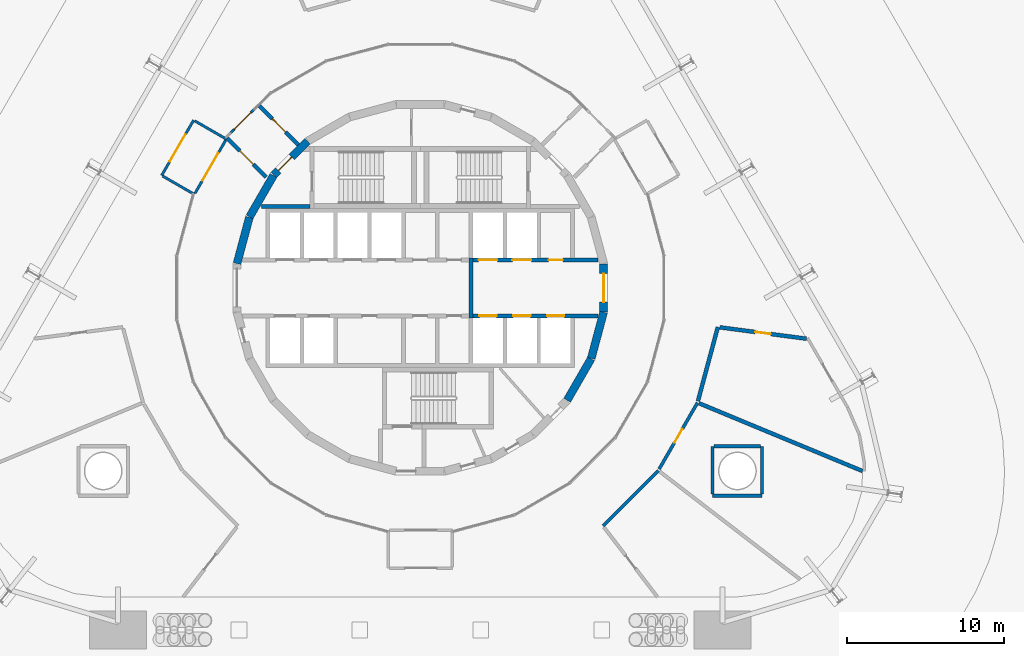
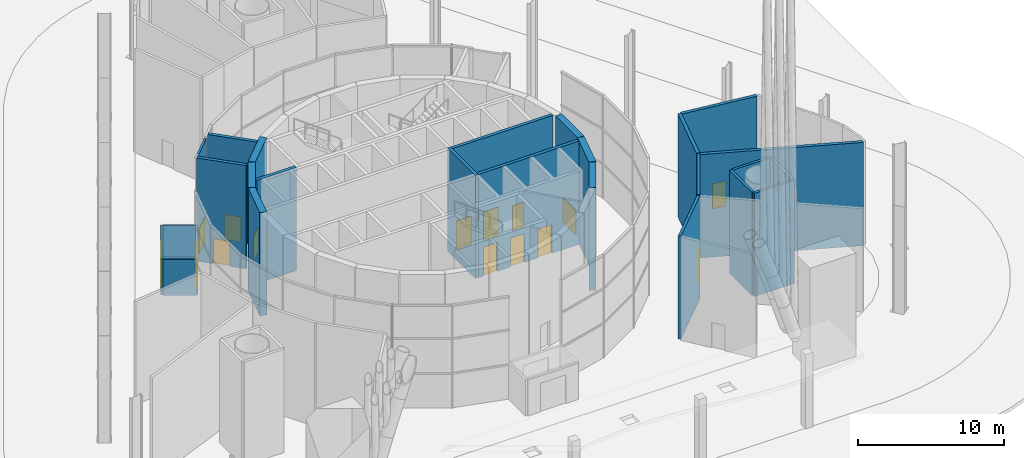
# One storey, part 16 of 21: 26 walls, 15 doors, 15 openings.
"""IFC4 building model written with IfcOpenShell, lengths in metres."""

from ifc_helpers import new_model, si_unit, direction, frame, frame_2d, origin, place, context, subcontext, project, spatial, rectangle, extrude, material, layer, layer_set, type_object, element, fill, save


model = new_model("IFC4")

# Units and contexts
model_context = context("Model", 3, precision=1e-05, world=origin(), true_north=direction((0.0, 1.0)))
body_context = subcontext(model_context, "Body", "Model", "MODEL_VIEW")
ifc_project = project(units=[si_unit("LENGTHUNIT", "METRE"), si_unit("AREAUNIT", "SQUARE_METRE"), si_unit("VOLUMEUNIT", "CUBIC_METRE"), si_unit("PLANEANGLEUNIT", "RADIAN"), si_unit("MASSUNIT", "GRAM", prefix="KILO")], contexts=[model_context])

# Site, building, storey
site_placement = place(None, origin())
site = spatial("IfcSite", under=ifc_project, at=site_placement, CompositionType="ELEMENT")
building_placement = place(site_placement, origin())
building = spatial("IfcBuilding", under=site, at=building_placement, Name="Spindle Arch Residences", CompositionType="ELEMENT")
storey_placement = place(building_placement, origin())
storey = spatial("IfcBuildingStorey", under=building, at=storey_placement, Name="L00", CompositionType="ELEMENT", Elevation=0.0)

# Walls
ifc_material_1 = material(Name="Concrete C50/60", Category="concrete")
ifc_layer_1 = layer(ifc_material_1, 0.5)
ifc_layer_set_1 = layer_set([ifc_layer_1], Name="Core outline wall 500")
wall_type_1 = type_object("IfcWallType", Name="Core outline wall 500", PredefinedType="SHEAR", material=ifc_layer_set_1)
for number, where, z_axis, x_axis, name in (
    (1, (9.32861328125, -7.13671875, 0.0), (0.0, 0.0, 1.0), (0.500087131594, 0.865975092491, 0.0), "Core outline wall 4"),
    (2, (10.858154296875, -4.479248046875, 0.0), (0.0, 0.0, 1.0), (0.258734743916, 0.965948410781, 0.0), "Core outline wall 5"),
):
    element("IfcWall", number, at=place(storey_placement, frame(where, z_axis=z_axis, x_axis=x_axis)), inside=storey, type_object=wall_type_1, Name=name, PredefinedType="SHEAR", context=body_context, shape_type="SweptSolid", body=[
        extrude(rectangle(XDim=3.03271484375, YDim=0.5, at=frame_2d((1.516357421875, 0.0))), origin(), (0.0, 0.0, 1.0), 8.6201171875),
    ])

# Wall, opening, door
wall_1_placement = place(storey_placement, frame((11.647216796875, -1.516357421875, 0.0), z_axis=(0.0, 0.0, 1.0), x_axis=(0.0, 1.0, 0.0)))
wall_1 = element("IfcWall", 3, at=wall_1_placement, inside=storey, type_object=wall_type_1, Name="Core outline wall 6", PredefinedType="SHEAR", context=body_context, shape_type="SweptSolid", body=[
    extrude(rectangle(XDim=3.03271484375, YDim=0.5, at=frame_2d((1.516357421875, 0.0))), origin(), (0.0, 0.0, 1.0), 8.6201171875),
])
opening_1_placement = place(wall_1_placement, frame((0.6162109375, 0.0, 0.0)))
opening_1 = element("IfcOpeningElement", 4, at=opening_1_placement, cuts=wall_1, Name="Opening L00-FE01", PredefinedType="OPENING", context=body_context, shape_type="SweptSolid", body=[
    extrude(rectangle(XDim=1.800048828125, YDim=2.10009765625, at=frame_2d((0.89990234375, 1.050048828125))), frame((0.0, 0.260009765625, 0.0), z_axis=(0.0, -1.0, 0.0), x_axis=(1.0, 0.0, 0.0)), (0.0, 0.0, 1.0), 0.52001953125),
])
ifc_material_2 = material(Name="Steel, fire-resisting door", Category="steel")
door_type_1 = type_object("IfcDoorType", Name="Fire-lift lobby door 1800x2100", OperationType="DOUBLE_DOOR_SINGLE_SWING", PredefinedType="DOOR", material=ifc_material_2)
door_1_placement = place(opening_1_placement, origin())
door_1 = element("IfcDoor", 5, at=door_1_placement, inside=storey, type_object=door_type_1, Name="Fire-lift lobby door L00-FE01", OperationType="DOUBLE_DOOR_SINGLE_SWING", OverallHeight=2.10009765625, OverallWidth=1.800048828125, PredefinedType="DOOR", context=body_context, shape_type="SweptSolid", body=[
    extrude(rectangle(XDim=1.800048828125, YDim=2.10009765625, at=frame_2d((0.89990234375, 1.050048828125))), frame((0.0, 0.02490234375, 0.0), z_axis=(0.0, -1.0, 0.0), x_axis=(1.0, 0.0, 0.0)), (0.0, 0.0, 1.0), 0.050048828125),
])
fill(opening_1, door_1)

wall_2_placement = place(storey_placement, frame((-7.163818359375, 9.30810546875, 0.0), z_axis=(0.0, 0.0, 1.0), x_axis=(-0.707106781187, -0.707106781187, 0.0)))
wall_2 = element("IfcWall", 6, at=wall_2_placement, inside=storey, type_object=wall_type_1, Name="Core outline wall 15", PredefinedType="SHEAR", context=body_context, shape_type="SweptSolid", body=[
    extrude(rectangle(XDim=3.032470703125, YDim=0.5, at=frame_2d((1.51611328125, 0.0))), origin(), (0.0, 0.0, 1.0), 8.6201171875),
])
opening_2_placement = place(wall_2_placement, frame((1.416259765625, 0.0, 0.0)))
opening_2 = element("IfcOpeningElement", 7, at=opening_2_placement, cuts=wall_2, Name="Opening L00-AD02", PredefinedType="OPENING", context=body_context, shape_type="SweptSolid", body=[
    extrude(rectangle(XDim=1.199951171875, YDim=2.10009765625, at=frame_2d((0.60009765625, 1.050048828125))), frame((0.0, 0.260009765625, 0.0), z_axis=(0.0, -1.0, 0.0), x_axis=(1.0, 0.0, 0.0)), (0.0, 0.0, 1.0), 0.52001953125),
])
ifc_material_3 = material(Name="Steel, fire-resisting door", Category="steel")
door_type_2 = type_object("IfcDoorType", Name="Stair airlock door 1200x2100", OperationType="SINGLE_SWING_LEFT", PredefinedType="DOOR", material=ifc_material_3)
door_2_placement = place(opening_2_placement, origin())
door_2 = element("IfcDoor", 8, at=door_2_placement, inside=storey, type_object=door_type_2, Name="Stair airlock door L00-AD02", OperationType="SINGLE_SWING_RIGHT", OverallHeight=2.10009765625, OverallWidth=1.199951171875, PredefinedType="DOOR", context=body_context, shape_type="SweptSolid", body=[
    extrude(rectangle(XDim=1.199951171875, YDim=2.10009765625, at=frame_2d((0.60009765625, 1.050048828125))), frame((0.0, 0.02490234375, 0.0), z_axis=(0.0, -1.0, 0.0), x_axis=(1.0, 0.0, 0.0)), (0.0, 0.0, 1.0), 0.050048828125),
])
fill(opening_2, door_2)

# Walls
for number, where, z_axis, x_axis, name in (
    (9, (-9.32861328125, 7.13671875, 0.0), (0.0, 0.0, 1.0), (-0.500087131594, -0.865975092491, 0.0), "Core outline wall 16"),
    (10, (-10.858154296875, 4.479248046875, 0.0), (0.0, 0.0, 1.0), (-0.258734743916, -0.965948410781, 0.0), "Core outline wall 17"),
):
    element("IfcWall", number, at=place(storey_placement, frame(where, z_axis=z_axis, x_axis=x_axis)), inside=storey, type_object=wall_type_1, Name=name, PredefinedType="SHEAR", context=body_context, shape_type="SweptSolid", body=[
        extrude(rectangle(XDim=3.03271484375, YDim=0.5, at=frame_2d((1.516357421875, 0.0))), origin(), (0.0, 0.0, 1.0), 8.6201171875),
    ])

# Wall, opening, door
ifc_material_4 = material(Name="Non-combustible mineral wool insulated aluminium faced external wall (K0)", Category="aluminium")
ifc_layer_2 = layer(ifc_material_4, 0.159912109375)
ifc_layer_set_2 = layer_set([ifc_layer_2], Name="Exit door wall 160")
wall_type_2 = type_object("IfcWallType", Name="Exit door wall 160", PredefinedType="STANDARD", material=ifc_layer_set_2)
wall_3_placement = place(storey_placement, frame((-12.0322265625, 9.85498046875, 0.0), z_axis=(0.0, 0.0, 1.0), x_axis=(0.70704865247, 0.707164905125, 0.0)))
wall_3 = element("IfcWall", 11, at=wall_3_placement, inside=storey, type_object=wall_type_2, Name="Stair exit wall NW", PredefinedType="STANDARD", context=body_context, shape_type="SweptSolid", body=[
    extrude(rectangle(XDim=2.10009765625, YDim=0.159912109375, at=frame_2d((1.050048828125, 0.0))), origin(), (0.0, 0.0, 1.0), 8.5),
])
opening_3_placement = place(wall_3_placement, frame((0.300048828125, 0.0, 0.0)))
opening_3 = element("IfcOpeningElement", 12, at=opening_3_placement, cuts=wall_3, Name="Opening STAIR-EXIT-NW", PredefinedType="OPENING", context=body_context, shape_type="SweptSolid", body=[
    extrude(rectangle(XDim=1.5, YDim=2.10009765625, at=frame_2d((0.75, 1.050048828125))), frame((0.0, 0.08984375, 0.0), z_axis=(0.0, -1.0, 0.0), x_axis=(1.0, 0.0, 0.0)), (0.0, 0.0, 1.0), 0.179931640625),
])
ifc_material_5 = material(Name="Fire-resisting bronze aluminium frame and glazed leaves", Category="aluminium")
door_type_3 = type_object("IfcDoorType", Name="Stair exit door EI 60 1500x2100", OperationType="DOUBLE_DOOR_SINGLE_SWING", PredefinedType="DOOR", material=ifc_material_5)
door_3_placement = place(opening_3_placement, origin())
door_3 = element("IfcDoor", 13, at=door_3_placement, inside=storey, type_object=door_type_3, Name="Stair exit door NW", OperationType="DOUBLE_DOOR_SINGLE_SWING", OverallHeight=2.10009765625, OverallWidth=1.5, PredefinedType="DOOR", context=body_context, shape_type="SweptSolid", body=[
    extrude(rectangle(XDim=1.5, YDim=2.10009765625, at=frame_2d((0.75, 1.050048828125))), frame((0.0, 0.02490234375, 0.0), z_axis=(0.0, -1.0, 0.0), x_axis=(1.0, 0.0, 0.0)), (0.0, 0.0, 1.0), 0.050048828125),
])
fill(opening_3, door_3)

# Wall, openings, doors
ifc_material_6 = material(Name="Concrete C40/50", Category="concrete")
ifc_layer_3 = layer(ifc_material_6, 0.25)
ifc_layer_set_3 = layer_set([ifc_layer_3], Name="Fire-lift lobby wall 250")
wall_type_3 = type_object("IfcWallType", Name="Fire-lift lobby wall 250", PredefinedType="SHEAR", material=ifc_layer_set_3)
wall_4_placement = place(storey_placement, frame((3.35009765625, 1.77490234375, 0.0), z_axis=(0.0, 0.0, 1.0), x_axis=(1.0, 0.0, 0.0)))
wall_4 = element("IfcWall", 14, at=wall_4_placement, inside=storey, type_object=wall_type_3, Name="Lift shaft front wall NE", PredefinedType="SHEAR", context=body_context, shape_type="SweptSolid", body=[
    extrude(rectangle(XDim=7.929931640625, YDim=0.25, at=frame_2d((3.96484375, 0.0))), origin(), (0.0, 0.0, 1.0), 8.6201171875),
])
opening_4_placement = place(wall_4_placement, frame((0.35009765625, 0.0, 0.0)))
opening_4 = element("IfcOpeningElement", 15, at=opening_4_placement, cuts=wall_4, Name="Opening L00-SLD01", PredefinedType="OPENING", context=body_context, shape_type="SweptSolid", body=[
    extrude(rectangle(XDim=1.199951171875, YDim=2.39990234375, at=frame_2d((0.60009765625, 1.199951171875))), frame((0.0, 0.135009765625, 0.0), z_axis=(0.0, -1.0, 0.0), x_axis=(1.0, 0.0, 0.0)), (0.0, 0.0, 1.0), 0.27001953125),
])
opening_5_placement = place(wall_4_placement, frame((2.5, 0.0, 0.0)))
opening_5 = element("IfcOpeningElement", 16, at=opening_5_placement, cuts=wall_4, Name="Opening L00-SLD02", PredefinedType="OPENING", context=body_context, shape_type="SweptSolid", body=[
    extrude(rectangle(XDim=1.199951171875, YDim=2.39990234375, at=frame_2d((0.60009765625, 1.199951171875))), frame((0.0, 0.135009765625, 0.0), z_axis=(0.0, -1.0, 0.0), x_axis=(1.0, 0.0, 0.0)), (0.0, 0.0, 1.0), 0.27001953125),
])
opening_6_placement = place(wall_4_placement, frame((4.800048828125, 0.0, 0.0)))
opening_6 = element("IfcOpeningElement", 17, at=opening_6_placement, cuts=wall_4, Name="Opening L00-WD03", PredefinedType="OPENING", context=body_context, shape_type="SweptSolid", body=[
    extrude(rectangle(XDim=0.89990234375, YDim=2.10009765625, at=frame_2d((0.449951171875, 1.050048828125))), frame((0.0, 0.135009765625, 0.0), z_axis=(0.0, -1.0, 0.0), x_axis=(1.0, 0.0, 0.0)), (0.0, 0.0, 1.0), 0.27001953125),
])
ifc_material_7 = material(Name="Steel, fire-resisting landing door", Category="steel")
door_type_4 = type_object("IfcDoorType", Name="Service lift landing door 1200x2400", OperationType="DOUBLE_DOOR_SLIDING", PredefinedType="DOOR", material=ifc_material_7)
door_4_placement = place(opening_4_placement, origin())
door_4 = element("IfcDoor", 18, at=door_4_placement, inside=storey, type_object=door_type_4, Name="Service lift landing door L00-SLD01", OperationType="DOUBLE_DOOR_SLIDING", OverallHeight=2.39990234375, OverallWidth=1.199951171875, PredefinedType="DOOR", context=body_context, shape_type="SweptSolid", body=[
    extrude(rectangle(XDim=1.199951171875, YDim=2.39990234375, at=frame_2d((0.60009765625, 1.199951171875))), frame((0.0, 0.02490234375, 0.0), z_axis=(0.0, -1.0, 0.0), x_axis=(1.0, 0.0, 0.0)), (0.0, 0.0, 1.0), 0.050048828125),
])
fill(opening_4, door_4)
door_5_placement = place(opening_5_placement, origin())
door_5 = element("IfcDoor", 19, at=door_5_placement, inside=storey, type_object=door_type_4, Name="Service lift landing door L00-SLD02", OperationType="DOUBLE_DOOR_SLIDING", OverallHeight=2.39990234375, OverallWidth=1.199951171875, PredefinedType="DOOR", context=body_context, shape_type="SweptSolid", body=[
    extrude(rectangle(XDim=1.199951171875, YDim=2.39990234375, at=frame_2d((0.60009765625, 1.199951171875))), frame((0.0, 0.02490234375, 0.0), z_axis=(0.0, -1.0, 0.0), x_axis=(1.0, 0.0, 0.0)), (0.0, 0.0, 1.0), 0.050048828125),
])
fill(opening_5, door_5)
ifc_material_8 = material(Name="Steel, fire-resisting door", Category="steel")
door_type_5 = type_object("IfcDoorType", Name="Service room door 900x2100", OperationType="SINGLE_SWING_LEFT", PredefinedType="DOOR", material=ifc_material_8)
door_6_placement = place(opening_6_placement, origin())
door_6 = element("IfcDoor", 20, at=door_6_placement, inside=storey, type_object=door_type_5, Name="Service room door L00-WD03", OperationType="SINGLE_SWING_RIGHT", OverallHeight=2.10009765625, OverallWidth=0.89990234375, PredefinedType="DOOR", context=body_context, shape_type="SweptSolid", body=[
    extrude(rectangle(XDim=0.89990234375, YDim=2.10009765625, at=frame_2d((0.449951171875, 1.050048828125))), frame((0.0, 0.02490234375, 0.0), z_axis=(0.0, -1.0, 0.0), x_axis=(1.0, 0.0, 0.0)), (0.0, 0.0, 1.0), 0.050048828125),
])
fill(opening_6, door_6)

# Wall
wall_5_placement = place(storey_placement, frame((3.22509765625, -1.89990234375, 0.0), z_axis=(0.0, 0.0, 1.0), x_axis=(0.0, 1.0, 0.0)))
element("IfcWall", 21, at=wall_5_placement, inside=storey, type_object=wall_type_3, Name="Fire-fighting lobby partition", PredefinedType="SHEAR", context=body_context, shape_type="SweptSolid", body=[
    extrude(rectangle(XDim=3.7998046875, YDim=0.25, at=frame_2d((1.89990234375, 0.0))), origin(), (0.0, 0.0, 1.0), 8.6201171875),
])

# Wall, openings, doors
ifc_material_9 = material(Name="Concrete C50/60", Category="concrete")
ifc_layer_4 = layer(ifc_material_9, 0.25)
ifc_layer_set_4 = layer_set([ifc_layer_4], Name="Fire-lift shaft wall 250")
wall_type_4 = type_object("IfcWallType", Name="Fire-lift shaft wall 250", PredefinedType="SHEAR", material=ifc_layer_set_4)
wall_6_placement = place(storey_placement, frame((3.35009765625, -1.77490234375, 0.0), z_axis=(0.0, 0.0, 1.0), x_axis=(1.0, 0.0, 0.0)))
wall_6 = element("IfcWall", 22, at=wall_6_placement, inside=storey, type_object=wall_type_4, Name="Lift shaft front wall SE", PredefinedType="SHEAR", context=body_context, shape_type="SweptSolid", body=[
    extrude(rectangle(XDim=7.929931640625, YDim=0.25, at=frame_2d((3.96484375, 0.0))), origin(), (0.0, 0.0, 1.0), 8.6201171875),
])
opening_7_placement = place(wall_6_placement, frame((0.39990234375, 0.0, 0.0)))
opening_7 = element("IfcOpeningElement", 23, at=opening_7_placement, cuts=wall_6, Name="Opening L00-FLD01", PredefinedType="OPENING", context=body_context, shape_type="SweptSolid", body=[
    extrude(rectangle(XDim=1.10009765625, YDim=2.39990234375, at=frame_2d((0.550048828125, 1.199951171875))), frame((0.0, 0.135009765625, 0.0), z_axis=(0.0, -1.0, 0.0), x_axis=(1.0, 0.0, 0.0)), (0.0, 0.0, 1.0), 0.27001953125),
])
opening_8_placement = place(wall_6_placement, frame((2.550048828125, 0.0, 0.0)))
opening_8 = element("IfcOpeningElement", 24, at=opening_8_placement, cuts=wall_6, Name="Opening L00-FLD02", PredefinedType="OPENING", context=body_context, shape_type="SweptSolid", body=[
    extrude(rectangle(XDim=1.10009765625, YDim=2.39990234375, at=frame_2d((0.550048828125, 1.199951171875))), frame((0.0, 0.135009765625, 0.0), z_axis=(0.0, -1.0, 0.0), x_axis=(1.0, 0.0, 0.0)), (0.0, 0.0, 1.0), 0.27001953125),
])
opening_9_placement = place(wall_6_placement, frame((4.699951171875, 0.0, 0.0)))
opening_9 = element("IfcOpeningElement", 25, at=opening_9_placement, cuts=wall_6, Name="Opening L00-FLD03", PredefinedType="OPENING", context=body_context, shape_type="SweptSolid", body=[
    extrude(rectangle(XDim=1.10009765625, YDim=2.39990234375, at=frame_2d((0.550048828125, 1.199951171875))), frame((0.0, 0.135009765625, 0.0), z_axis=(0.0, -1.0, 0.0), x_axis=(1.0, 0.0, 0.0)), (0.0, 0.0, 1.0), 0.27001953125),
])
ifc_material_10 = material(Name="Steel, fire-resisting landing door", Category="steel")
door_type_6 = type_object("IfcDoorType", Name="Fire-fighting lift landing door 1100x2400", OperationType="DOUBLE_DOOR_SLIDING", PredefinedType="DOOR", material=ifc_material_10)
door_7_placement = place(opening_7_placement, origin())
door_7 = element("IfcDoor", 26, at=door_7_placement, inside=storey, type_object=door_type_6, Name="Fire-fighting lift landing door L00-FLD01", OperationType="DOUBLE_DOOR_SLIDING", OverallHeight=2.39990234375, OverallWidth=1.10009765625, PredefinedType="DOOR", context=body_context, shape_type="SweptSolid", body=[
    extrude(rectangle(XDim=1.10009765625, YDim=2.39990234375, at=frame_2d((0.550048828125, 1.199951171875))), frame((0.0, 0.02490234375, 0.0), z_axis=(0.0, -1.0, 0.0), x_axis=(1.0, 0.0, 0.0)), (0.0, 0.0, 1.0), 0.050048828125),
])
fill(opening_7, door_7)
door_8_placement = place(opening_8_placement, origin())
door_8 = element("IfcDoor", 27, at=door_8_placement, inside=storey, type_object=door_type_6, Name="Fire-fighting lift landing door L00-FLD02", OperationType="DOUBLE_DOOR_SLIDING", OverallHeight=2.39990234375, OverallWidth=1.10009765625, PredefinedType="DOOR", context=body_context, shape_type="SweptSolid", body=[
    extrude(rectangle(XDim=1.10009765625, YDim=2.39990234375, at=frame_2d((0.550048828125, 1.199951171875))), frame((0.0, 0.02490234375, 0.0), z_axis=(0.0, -1.0, 0.0), x_axis=(1.0, 0.0, 0.0)), (0.0, 0.0, 1.0), 0.050048828125),
])
fill(opening_8, door_8)
door_9_placement = place(opening_9_placement, origin())
door_9 = element("IfcDoor", 28, at=door_9_placement, inside=storey, type_object=door_type_6, Name="Fire-fighting lift landing door L00-FLD03", OperationType="DOUBLE_DOOR_SLIDING", OverallHeight=2.39990234375, OverallWidth=1.10009765625, PredefinedType="DOOR", context=body_context, shape_type="SweptSolid", body=[
    extrude(rectangle(XDim=1.10009765625, YDim=2.39990234375, at=frame_2d((0.550048828125, 1.199951171875))), frame((0.0, 0.02490234375, 0.0), z_axis=(0.0, -1.0, 0.0), x_axis=(1.0, 0.0, 0.0)), (0.0, 0.0, 1.0), 0.050048828125),
])
fill(opening_9, door_9)

# Wall, opening, door
ifc_material_11 = material(Name="Concrete C40/50 wall with non-combustible insulated cladding (K0)", Category="concrete")
ifc_layer_5 = layer(ifc_material_11, 0.159912109375)
ifc_layer_set_5 = layer_set([ifc_layer_5], Name="Partition E 60 160 external")
wall_type_5 = type_object("IfcWallType", Name="Partition E 60 160 external", PredefinedType="PARTITIONING", material=ifc_layer_set_5)
wall_7_placement = place(storey_placement, frame((-16.429931640625, 7.139892578125, 0.0), z_axis=(0.0, 0.0, 1.0), x_axis=(0.500651722248, 0.865648804661, 0.0)))
wall_7 = element("IfcWall", 29, at=wall_7_placement, inside=storey, type_object=wall_type_5, Name="L00-W009", PredefinedType="PARTITIONING", context=body_context, shape_type="SweptSolid", body=[
    extrude(rectangle(XDim=4.0546875, YDim=0.159912109375, at=frame_2d((2.02734375, 0.0))), origin(), (0.0, 0.0, 1.0), 3.0),
])
opening_10_placement = place(wall_7_placement, frame((1.02734375, 0.0, 0.0)))
opening_10 = element("IfcOpeningElement", 30, at=opening_10_placement, cuts=wall_7, Name="Opening L00-D09", PredefinedType="OPENING", context=body_context, shape_type="SweptSolid", body=[
    extrude(rectangle(XDim=2.0, YDim=2.39990234375, at=frame_2d((1.0, 1.199951171875))), frame((0.0, 0.08984375, 0.0), z_axis=(0.0, -1.0, 0.0), x_axis=(1.0, 0.0, 0.0)), (0.0, 0.0, 1.0), 0.179931640625),
])
ifc_material_12 = material(Name="Bronze aluminium frame, toughened tinted glass", Category="aluminium")
door_type_7 = type_object("IfcDoorType", Name="Lobby entrance double door EI 60 2000x2400", OperationType="DOUBLE_DOOR_SINGLE_SWING", PredefinedType="DOOR", material=ifc_material_12)
door_10_placement = place(opening_10_placement, origin())
door_10 = element("IfcDoor", 31, at=door_10_placement, inside=storey, type_object=door_type_7, Name="L00-D09", OperationType="DOUBLE_DOOR_SINGLE_SWING", OverallHeight=2.39990234375, OverallWidth=2.0, PredefinedType="DOOR", context=body_context, shape_type="SweptSolid", body=[
    extrude(rectangle(XDim=2.0, YDim=2.39990234375, at=frame_2d((1.0, 1.199951171875))), frame((0.0, 0.02490234375, 0.0), z_axis=(0.0, -1.0, 0.0), x_axis=(1.0, 0.0, 0.0)), (0.0, 0.0, 1.0), 0.050048828125),
])
fill(opening_10, door_10)

# Walls
wall_8_placement = place(storey_placement, frame((-14.330810546875, 10.610107421875, 0.0), z_axis=(0.0, 0.0, 1.0), x_axis=(0.866164575005, -0.499758870863, 0.0)))
element("IfcWall", 32, at=wall_8_placement, inside=storey, type_object=wall_type_5, Name="L00-W011", PredefinedType="PARTITIONING", context=body_context, shape_type="SweptSolid", body=[
    extrude(rectangle(XDim=2.321533203125, YDim=0.159912109375, at=frame_2d((1.16064453125, 0.0))), origin(), (0.0, 0.0, 1.0), 3.0),
])
wall_9_placement = place(storey_placement, frame((-14.35009765625, 5.93994140625, 0.0), z_axis=(0.0, 0.0, 1.0), x_axis=(-0.866138304741, 0.499804398801, 0.0)))
element("IfcWall", 33, at=wall_9_placement, inside=storey, type_object=wall_type_5, Name="L00-W012", PredefinedType="PARTITIONING", context=body_context, shape_type="SweptSolid", body=[
    extrude(rectangle(XDim=2.3212890625, YDim=0.159912109375, at=frame_2d((1.16064453125, 0.0))), origin(), (0.0, 0.0, 1.0), 3.0),
])

# Wall, opening, door
wall_10_placement = place(storey_placement, frame((-12.360107421875, 9.380859375, 0.0), z_axis=(0.0, 0.0, 1.0), x_axis=(-0.500648288507, -0.86565079057, 0.0)))
wall_10 = element("IfcWall", 34, at=wall_10_placement, inside=storey, type_object=wall_type_5, Name="L00-W013", PredefinedType="PARTITIONING", context=body_context, shape_type="SweptSolid", body=[
    extrude(rectangle(XDim=3.894775390625, YDim=0.159912109375, at=frame_2d((1.947265625, 0.0))), origin(), (0.0, 0.0, 1.0), 3.0),
])
opening_11_placement = place(wall_10_placement, frame((0.947509765625, 0.0, 0.0)))
opening_11 = element("IfcOpeningElement", 35, at=opening_11_placement, cuts=wall_10, Name="Opening L00-D08", PredefinedType="OPENING", context=body_context, shape_type="SweptSolid", body=[
    extrude(rectangle(XDim=2.0, YDim=2.39990234375, at=frame_2d((1.0, 1.199951171875))), frame((0.0, 0.08984375, 0.0), z_axis=(0.0, -1.0, 0.0), x_axis=(1.0, 0.0, 0.0)), (0.0, 0.0, 1.0), 0.179931640625),
])
door_11_placement = place(opening_11_placement, origin())
door_11 = element("IfcDoor", 36, at=door_11_placement, inside=storey, type_object=door_type_7, Name="L00-D08", OperationType="DOUBLE_DOOR_SINGLE_SWING", OverallHeight=2.39990234375, OverallWidth=2.0, PredefinedType="DOOR", context=body_context, shape_type="SweptSolid", body=[
    extrude(rectangle(XDim=2.0, YDim=2.39990234375, at=frame_2d((1.0, 1.199951171875))), frame((0.0, 0.02490234375, 0.0), z_axis=(0.0, -1.0, 0.0), x_axis=(1.0, 0.0, 0.0)), (0.0, 0.0, 1.0), 0.050048828125),
])
fill(opening_11, door_11)

# Walls
ifc_material_13 = material(Name="Concrete C25/30 wall", Category="concrete")
ifc_layer_6 = layer(ifc_material_13, 0.25)
ifc_layer_set_6 = layer_set([ifc_layer_6], Name="Partition EI 120 250 store")
wall_type_6 = type_object("IfcWallType", Name="Partition EI 120 250 store", PredefinedType="PARTITIONING", material=ifc_layer_set_6)
wall_11_placement = place(storey_placement, frame((17.635986328125, -7.193359375, 0.0), z_axis=(0.0, 0.0, 1.0), x_axis=(0.259518617631, 0.965738104821, 0.0)))
element("IfcWall", 37, at=wall_11_placement, inside=storey, type_object=wall_type_6, Name="L00-W054", PredefinedType="PARTITIONING", context=body_context, shape_type="SweptSolid", body=[
    extrude(rectangle(XDim=4.8701171875, YDim=0.25, at=frame_2d((2.43505859375, 0.0))), origin(), (0.0, 0.0, 1.0), 8.6201171875),
])
wall_12_placement = place(storey_placement, frame((17.702392578125, -7.328369140625, 0.0), z_axis=(0.0, 0.0, 1.0), x_axis=(0.923733316427, -0.383036238655, 0.0)))
element("IfcWall", 38, at=wall_12_placement, inside=storey, type_object=wall_type_6, Name="L00-W055", PredefinedType="PARTITIONING", context=body_context, shape_type="SweptSolid", body=[
    extrude(rectangle(XDim=11.256103515625, YDim=0.25, at=frame_2d((5.6279296875, 0.0))), origin(), (0.0, 0.0, 1.0), 8.6201171875),
])

# Wall, opening, door
wall_13_placement = place(storey_placement, frame((19.02392578125, -2.50634765625, 0.0), z_axis=(0.0, 0.0, 1.0), x_axis=(0.991474185099, -0.130303262743, 0.0)))
wall_13 = element("IfcWall", 39, at=wall_13_placement, inside=storey, type_object=wall_type_6, Name="L00-W058", PredefinedType="PARTITIONING", context=body_context, shape_type="SweptSolid", body=[
    extrude(rectangle(XDim=5.553466796875, YDim=0.25, at=frame_2d((2.77685546875, 0.0))), origin(), (0.0, 0.0, 1.0), 8.6201171875),
])
opening_12_placement = place(wall_13_placement, frame((2.276611328125, 0.0, 0.0)))
opening_12 = element("IfcOpeningElement", 40, at=opening_12_placement, cuts=wall_13, Name="Opening L00-D06", PredefinedType="OPENING", context=body_context, shape_type="SweptSolid", body=[
    extrude(rectangle(XDim=1.0, YDim=2.10009765625, at=frame_2d((0.5, 1.050048828125))), frame((0.0, 0.135009765625, 0.0), z_axis=(0.0, -1.0, 0.0), x_axis=(1.0, 0.0, 0.0)), (0.0, 0.0, 1.0), 0.27001953125),
])
ifc_material_14 = material(Name="Steel door leaf, painted", Category="steel")
door_type_8 = type_object("IfcDoorType", Name="Door 1000x2100 EI 60", OperationType="SINGLE_SWING_LEFT", PredefinedType="DOOR", material=ifc_material_14)
door_12_placement = place(opening_12_placement, origin())
door_12 = element("IfcDoor", 41, at=door_12_placement, inside=storey, type_object=door_type_8, Name="L00-D06", OperationType="SINGLE_SWING_LEFT", OverallHeight=2.10009765625, OverallWidth=1.0, PredefinedType="DOOR", context=body_context, shape_type="SweptSolid", body=[
    extrude(rectangle(XDim=1.0, YDim=2.10009765625, at=frame_2d((0.5, 1.050048828125))), frame((0.0, 0.02490234375, 0.0), z_axis=(0.0, -1.0, 0.0), x_axis=(1.0, 0.0, 0.0)), (0.0, 0.0, 1.0), 0.050048828125),
])
fill(opening_12, door_12)

# Wall
ifc_material_15 = material(Name="Gypsum board partition on steel studs", Category="steel")
ifc_layer_7 = layer(ifc_material_15, 0.199951171875)
ifc_layer_set_7 = layer_set([ifc_layer_7], Name="Partition EI 60 200 amenity")
wall_type_7 = type_object("IfcWallType", Name="Partition EI 60 200 amenity", PredefinedType="PARTITIONING", material=ifc_layer_set_7)
wall_14_placement = place(storey_placement, frame((11.60009765625, -15.1201171875, 0.0), z_axis=(0.0, 0.0, 1.0), x_axis=(0.707106781187, 0.707106781187, 0.0)))
element("IfcWall", 42, at=wall_14_placement, inside=storey, type_object=wall_type_7, Name="L00-W045", PredefinedType="PARTITIONING", context=body_context, shape_type="SweptSolid", body=[
    extrude(rectangle(XDim=4.97802734375, YDim=0.199951171875, at=frame_2d((2.489013671875, 0.0))), origin(), (0.0, 0.0, 1.0), 8.6201171875),
])

# Wall, opening, door
wall_15_placement = place(storey_placement, frame((15.169921875, -11.513427734375, 0.0), z_axis=(0.0, 0.0, 1.0), x_axis=(0.50027843178, 0.865864591432, 0.0)))
wall_15 = element("IfcWall", 43, at=wall_15_placement, inside=storey, type_object=wall_type_7, Name="L00-W051", PredefinedType="PARTITIONING", context=body_context, shape_type="SweptSolid", body=[
    extrude(rectangle(XDim=4.877685546875, YDim=0.199951171875, at=frame_2d((2.43896484375, 0.0))), origin(), (0.0, 0.0, 1.0), 8.6201171875),
])
opening_13_placement = place(wall_15_placement, frame((1.938720703125, 0.0, 0.0)))
opening_13 = element("IfcOpeningElement", 44, at=opening_13_placement, cuts=wall_15, Name="Opening L00-D05", PredefinedType="OPENING", context=body_context, shape_type="SweptSolid", body=[
    extrude(rectangle(XDim=1.0, YDim=2.10009765625, at=frame_2d((0.5, 1.050048828125))), frame((0.0, 0.10986328125, 0.0), z_axis=(0.0, -1.0, 0.0), x_axis=(1.0, 0.0, 0.0)), (0.0, 0.0, 1.0), 0.219970703125),
])
ifc_material_16 = material(Name="Timber door leaf", Category="wood")
door_type_9 = type_object("IfcDoorType", Name="Door 1000x2100 EI 30", OperationType="SINGLE_SWING_LEFT", PredefinedType="DOOR", material=ifc_material_16)
door_13_placement = place(opening_13_placement, origin())
door_13 = element("IfcDoor", 45, at=door_13_placement, inside=storey, type_object=door_type_9, Name="L00-D05", OperationType="SINGLE_SWING_LEFT", OverallHeight=2.10009765625, OverallWidth=1.0, PredefinedType="DOOR", context=body_context, shape_type="SweptSolid", body=[
    extrude(rectangle(XDim=1.0, YDim=2.10009765625, at=frame_2d((0.5, 1.050048828125))), frame((0.0, 0.02490234375, 0.0), z_axis=(0.0, -1.0, 0.0), x_axis=(1.0, 0.0, 0.0)), (0.0, 0.0, 1.0), 0.050048828125),
])
fill(opening_13, door_13)

# Walls
wall_16_placement = place(storey_placement, frame((18.570068359375, -13.199951171875, 0.0), z_axis=(0.0, 0.0, 1.0), x_axis=(1.0, 0.0, 0.0)))
element("IfcWall", 46, at=wall_16_placement, inside=storey, type_object=wall_type_7, Name="L00-W056", PredefinedType="PARTITIONING", context=body_context, shape_type="SweptSolid", body=[
    extrude(rectangle(XDim=3.139892578125, YDim=0.199951171875, at=frame_2d((1.56982421875, 0.0))), origin(), (0.0, 0.0, 1.0), 8.6201171875),
])
for number, where, z_axis, x_axis, name in (
    (47, (18.570068359375, -10.06005859375, 0.0), (0.0, 0.0, 1.0), (0.0, -1.0, 0.0), "L00-W057"),
    (48, (21.7099609375, -13.10009765625, 0.0), (0.0, 0.0, 1.0), (0.0, 1.0, 0.0), "L00-W059"),
):
    element("IfcWall", number, at=place(storey_placement, frame(where, z_axis=z_axis, x_axis=x_axis)), inside=storey, type_object=wall_type_7, Name=name, PredefinedType="PARTITIONING", context=body_context, shape_type="SweptSolid", body=[
        extrude(rectangle(XDim=3.0400390625, YDim=0.199951171875, at=frame_2d((1.52001953125, 0.0))), origin(), (0.0, 0.0, 1.0), 8.6201171875),
    ])
wall_17_placement = place(storey_placement, frame((21.610107421875, -10.06005859375, 0.0), z_axis=(0.0, 0.0, 1.0), x_axis=(-1.0, 0.0, 0.0)))
element("IfcWall", 49, at=wall_17_placement, inside=storey, type_object=wall_type_7, Name="L00-W060", PredefinedType="PARTITIONING", context=body_context, shape_type="SweptSolid", body=[
    extrude(rectangle(XDim=2.940185546875, YDim=0.199951171875, at=frame_2d((1.47021484375, 0.0))), origin(), (0.0, 0.0, 1.0), 8.6201171875),
])

# Wall, opening, door
ifc_material_17 = material(Name="Concrete C25/30 wall", Category="concrete")
ifc_layer_8 = layer(ifc_material_17, 0.25)
ifc_layer_set_8 = layer_set([ifc_layer_8], Name="Partition REI 240 250 stair")
wall_type_8 = type_object("IfcWallType", Name="Partition REI 240 250 stair", PredefinedType="PARTITIONING", material=ifc_layer_set_8)
wall_18_placement = place(storey_placement, frame((-10.219970703125, 11.56005859375, 0.0), z_axis=(0.0, 0.0, 1.0), x_axis=(0.707106781187, -0.707106781187, 0.0)))
wall_18 = element("IfcWall", 50, at=wall_18_placement, inside=storey, type_object=wall_type_8, Name="L00-W015", PredefinedType="PARTITIONING", context=body_context, shape_type="SweptSolid", body=[
    extrude(rectangle(XDim=3.50732421875, YDim=0.25, at=frame_2d((1.753662109375, 0.0))), origin(), (0.0, 0.0, 1.0), 8.6201171875),
])
opening_14_placement = place(wall_18_placement, frame((1.153564453125, 0.0, 0.0)))
opening_14 = element("IfcOpeningElement", 51, at=opening_14_placement, cuts=wall_18, Name="Opening L00-D18", PredefinedType="OPENING", context=body_context, shape_type="SweptSolid", body=[
    extrude(rectangle(XDim=1.199951171875, YDim=2.10009765625, at=frame_2d((0.60009765625, 1.050048828125))), frame((0.0, 0.135009765625, 0.0), z_axis=(0.0, -1.0, 0.0), x_axis=(1.0, 0.0, 0.0)), (0.0, 0.0, 1.0), 0.27001953125),
])
ifc_material_18 = material(Name="Steel door leaf, painted", Category="steel")
door_type_10 = type_object("IfcDoorType", Name="Door 1200x2100 EI 60", OperationType="SINGLE_SWING_LEFT", PredefinedType="DOOR", material=ifc_material_18)
door_14_placement = place(opening_14_placement, origin())
door_14 = element("IfcDoor", 52, at=door_14_placement, inside=storey, type_object=door_type_10, Name="L00-D18", OperationType="SINGLE_SWING_LEFT", OverallHeight=2.10009765625, OverallWidth=1.199951171875, PredefinedType="DOOR", context=body_context, shape_type="SweptSolid", body=[
    extrude(rectangle(XDim=1.199951171875, YDim=2.10009765625, at=frame_2d((0.60009765625, 1.050048828125))), frame((0.0, 0.02490234375, 0.0), z_axis=(0.0, -1.0, 0.0), x_axis=(1.0, 0.0, 0.0)), (0.0, 0.0, 1.0), 0.050048828125),
])
fill(opening_14, door_14)

wall_19_placement = place(storey_placement, frame((-9.7900390625, 7.030029296875, 0.0), z_axis=(0.0, 0.0, 1.0), x_axis=(-0.707106781187, 0.707106781187, 0.0)))
wall_19 = element("IfcWall", 53, at=wall_19_placement, inside=storey, type_object=wall_type_8, Name="L00-W016", PredefinedType="PARTITIONING", context=body_context, shape_type="SweptSolid", body=[
    extrude(rectangle(XDim=3.50732421875, YDim=0.25, at=frame_2d((1.753662109375, 0.0))), origin(), (0.0, 0.0, 1.0), 8.6201171875),
])
opening_15_placement = place(wall_19_placement, frame((1.153564453125, 0.0, 0.0)))
opening_15 = element("IfcOpeningElement", 54, at=opening_15_placement, cuts=wall_19, Name="Opening L00-D19", PredefinedType="OPENING", context=body_context, shape_type="SweptSolid", body=[
    extrude(rectangle(XDim=1.199951171875, YDim=2.10009765625, at=frame_2d((0.60009765625, 1.050048828125))), frame((0.0, 0.135009765625, 0.0), z_axis=(0.0, -1.0, 0.0), x_axis=(1.0, 0.0, 0.0)), (0.0, 0.0, 1.0), 0.27001953125),
])
door_15_placement = place(opening_15_placement, origin())
door_15 = element("IfcDoor", 55, at=door_15_placement, inside=storey, type_object=door_type_10, Name="L00-D19", OperationType="SINGLE_SWING_LEFT", OverallHeight=2.10009765625, OverallWidth=1.199951171875, PredefinedType="DOOR", context=body_context, shape_type="SweptSolid", body=[
    extrude(rectangle(XDim=1.199951171875, YDim=2.10009765625, at=frame_2d((0.60009765625, 1.050048828125))), frame((0.0, 0.02490234375, 0.0), z_axis=(0.0, -1.0, 0.0), x_axis=(1.0, 0.0, 0.0)), (0.0, 0.0, 1.0), 0.050048828125),
])
fill(opening_15, door_15)

# Wall
ifc_material_19 = material(Name="Concrete C40/50", Category="concrete")
ifc_layer_9 = layer(ifc_material_19, 0.25)
ifc_layer_set_9 = layer_set([ifc_layer_9], Name="Stair airlock wall 250")
wall_type_9 = type_object("IfcWallType", Name="Stair airlock wall 250", PredefinedType="SHEAR", material=ifc_layer_set_9)
wall_20_placement = place(storey_placement, frame((-7.0, 5.175048828125, 0.0), z_axis=(0.0, 0.0, 1.0), x_axis=(-1.0, 0.0, 0.0)))
element("IfcWall", 56, at=wall_20_placement, inside=storey, type_object=wall_type_9, Name="Stair ST-2 airlock wall S", PredefinedType="SHEAR", context=body_context, shape_type="SweptSolid", body=[
    extrude(rectangle(XDim=3.10009765625, YDim=0.25, at=frame_2d((1.550048828125, 0.0))), origin(), (0.0, 0.0, 1.0), 8.6201171875),
])

save(model, "model.ifc")
